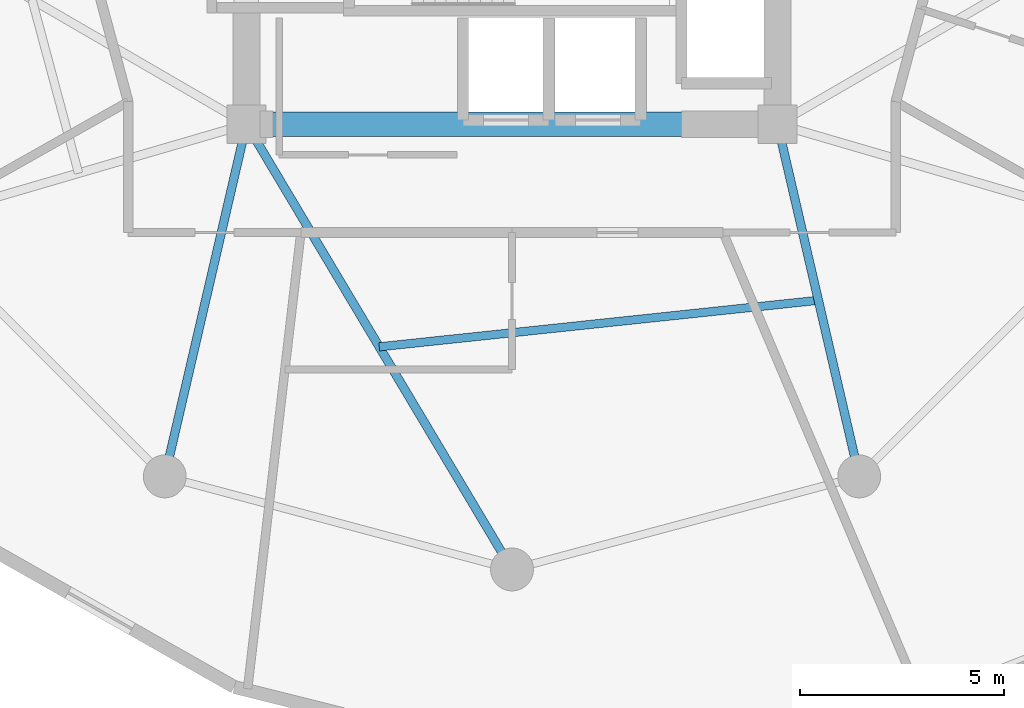
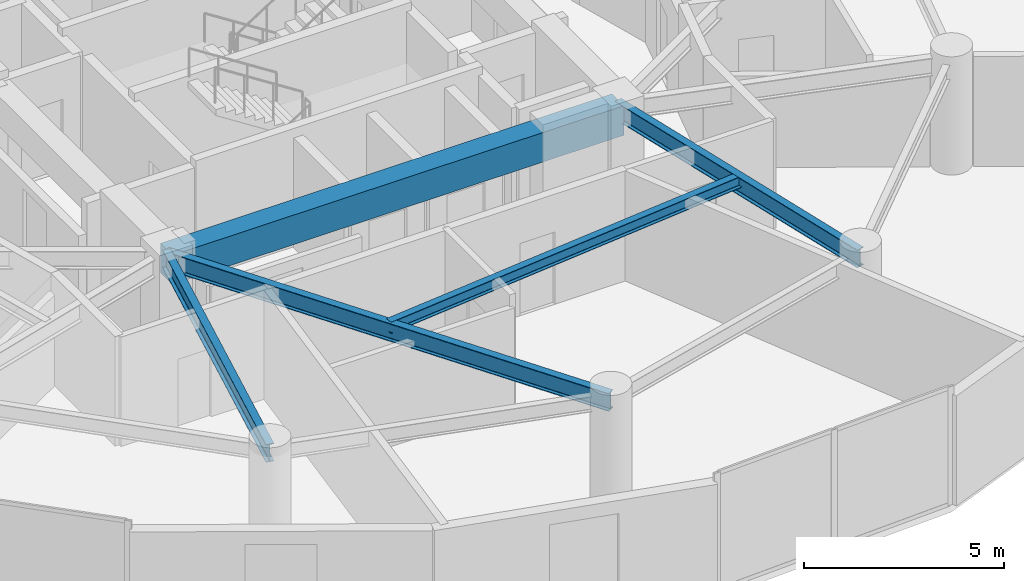
# One storey, part 5 of 25: 5 beams.
"""IFC4 building model written with IfcOpenShell, lengths in metres."""

import ifcopenshell
import ifcopenshell.guid

model = None  # the IFC model being written
_history = None  # IfcOwnerHistory: only IFC2X3 demands one
_inside = {}  # id of a spatial element -> (the spatial element, [elements in it])
_under = {}  # id of a project, library or spatial element -> (it, [spatial elements below it])
_declared = {}  # id of a project -> (the project, [libraries it declares])
_typed = {}  # id of a type object -> (the type object, [elements of that type])
_made_of = {}  # id of a material, layer set ... -> (it, [elements and type objects made of it])


def new_model(schema):
    """Start an empty IFC model of exactly this schema.

    Asked for "IFC4X3", IfcOpenShell would pick the latest addendum, in which some entities
    have other attributes; the version numbers below select the first issue.
    IFC2X3 requires an IfcOwnerHistory on every rooted entity: one is made here for all.
    """
    global model, _history
    if schema == "IFC4X3":
        model = ifcopenshell.file(schema_version=(4, 3, 0, 0))
    else:
        model = ifcopenshell.file(schema=schema)
    _inside.clear()
    _under.clear()
    _declared.clear()
    _typed.clear()
    _made_of.clear()
    _history = None
    if model.schema == "IFC2X3":
        org = make("IfcOrganization", Name="unknown")
        user = make(
            "IfcPersonAndOrganization",
            ThePerson=make("IfcPerson", FamilyName="unknown"),
            TheOrganization=org,
        )
        app = make(
            "IfcApplication",
            ApplicationDeveloper=org,
            Version="unknown",
            ApplicationFullName="unknown",
            ApplicationIdentifier="unknown",
        )
        _history = make(
            "IfcOwnerHistory",
            OwningUser=user,
            OwningApplication=app,
            ChangeAction="ADDED",
            CreationDate=0,
        )
    return model


def make(cls, **values):
    """One entity of the class cls with the attributes given. An attribute that is None is left unset."""
    return model.create_entity(
        cls, **{name: value for name, value in values.items() if value is not None}
    )


def rooted(cls, **values):
    """An entity with a GlobalId (a new one), such as an element, a storey or a relation."""
    return make(cls, GlobalId=ifcopenshell.guid.new(), OwnerHistory=_history, **values)


def si_unit(unit_type, name, prefix=None):
    """IfcSIUnit, for example si_unit("LENGTHUNIT", "METRE", prefix="MILLI")."""
    return make("IfcSIUnit", UnitType=unit_type, Prefix=prefix, Name=name)


def assignment(units):
    """IfcUnitAssignment: the units of a project."""
    return None if units is None else make("IfcUnitAssignment", Units=units)


def point(xyz):
    """IfcCartesianPoint."""
    return None if xyz is None else make("IfcCartesianPoint", Coordinates=xyz)


def direction(xyz):
    """IfcDirection."""
    return None if xyz is None else make("IfcDirection", DirectionRatios=xyz)


def frame(location, z_axis=None, x_axis=None):
    """IfcAxis2Placement3D, a coordinate frame: its origin and axes. An axis left out is left unset."""
    return make(
        "IfcAxis2Placement3D",
        Location=point(location),
        Axis=direction(z_axis),
        RefDirection=direction(x_axis),
    )


def frame_2d(location, x_axis=None):
    """IfcAxis2Placement2D, a coordinate frame in the plane: its origin and x axis."""
    return make(
        "IfcAxis2Placement2D", Location=point(location), RefDirection=direction(x_axis)
    )


def origin():
    """The frame at (0, 0, 0) with its axes left unset."""
    return frame((0.0, 0.0, 0.0))


def origin_2d():
    """The frame at (0, 0) in the plane with its x axis left unset."""
    return frame_2d((0.0, 0.0))


def place(relative_to, where):
    """IfcLocalPlacement: puts the frame where relative to a parent placement (None: the world)."""
    return make(
        "IfcLocalPlacement", PlacementRelTo=relative_to, RelativePlacement=where
    )


def context(
    kind, dimensions, precision=None, world=None, true_north=None, identifier=None
):
    """IfcGeometricRepresentationContext, for example the 3D "Model" context."""
    return make(
        "IfcGeometricRepresentationContext",
        ContextIdentifier=identifier,
        ContextType=kind,
        CoordinateSpaceDimension=dimensions,
        Precision=precision,
        WorldCoordinateSystem=world,
        TrueNorth=true_north,
    )


def subcontext(parent, identifier, kind, view, scale=None):
    """IfcGeometricRepresentationSubContext, for example "Body" below "Model"."""
    return make(
        "IfcGeometricRepresentationSubContext",
        ContextIdentifier=identifier,
        ContextType=kind,
        ParentContext=parent,
        TargetScale=scale,
        TargetView=view,
    )


def project(units=None, contexts=None):
    """IfcProject with its units and contexts."""
    return rooted(
        "IfcProject",
        Name="project",
        RepresentationContexts=contexts,
        UnitsInContext=assignment(units),
    )


def spatial(cls, under=None, at=None, **own):
    """A site, building, storey or space (cls), placed at a placement, below another one or the project."""
    s = rooted(cls, ObjectPlacement=at, **own)
    if under is not None:
        _under.setdefault(under.id(), (under, []))[1].append(s)
    return s


def profile(cls, at=None, kind="AREA", **sizes):
    """A parametric profile (cls). Its sizes go by their IFC names, for example OverallWidth=200.0."""
    return make(cls, ProfileType=kind, Position=at, **sizes)


def rectangle(**sizes):
    """IfcRectangleProfileDef."""
    return profile("IfcRectangleProfileDef", **sizes)


def i_section(**sizes):
    """IfcIShapeProfileDef."""
    return profile("IfcIShapeProfileDef", **sizes)


def extrude(swept, where, along, depth):
    """IfcExtrudedAreaSolid: the profile swept, set in the frame where, extruded along a direction by depth."""
    return make(
        "IfcExtrudedAreaSolid",
        SweptArea=swept,
        Position=where,
        ExtrudedDirection=direction(along),
        Depth=depth,
    )


def shape(context_of_items, identifier, shape_type, items):
    """IfcShapeRepresentation: the items that make up one representation, for example the "Body"."""
    return make(
        "IfcShapeRepresentation",
        ContextOfItems=context_of_items,
        RepresentationIdentifier=identifier,
        RepresentationType=shape_type,
        Items=items,
    )


def material(Name=None, Category=None):
    """IfcMaterial."""
    return make("IfcMaterial", Name=Name, Category=Category)


def material_profile(
    of_material, cross_section, Name=None, Category=None, Priority=None
):
    """IfcMaterialProfile: a cross section and its material."""
    return make(
        "IfcMaterialProfile",
        Name=Name,
        Material=of_material,
        Profile=cross_section,
        Priority=Priority,
        Category=Category,
    )


def profile_set(profiles, Name=None, composite=None):
    """IfcMaterialProfileSet."""
    return make(
        "IfcMaterialProfileSet",
        Name=Name,
        MaterialProfiles=profiles,
        CompositeProfile=composite,
    )


def made_of(thing, what):
    """Note that an element or type object is made of a material, layer set ...; save() writes the relation."""
    if what is not None:
        _made_of.setdefault(what.id(), (what, []))[1].append(thing)
    return thing


def type_object(cls, material=None, **own):
    """A type object (cls), such as IfcWallType, which elements share."""
    return made_of(rooted(cls, **own), material)


def element(
    cls,
    number,
    at=None,
    inside=None,
    cuts=None,
    type_object=None,
    material=None,
    context=None,
    identifier="Body",
    shape_type=None,
    held_by="IfcProductDefinitionShape",
    body=None,
    shapes=None,
    **own,
):
    """One element of the class cls, such as IfcWall. Its Tag is "e" and its number.

    at: its placement. inside: the storey or other place that contains it. cuts: it is an
    opening in that element (IfcRelVoidsElement). A single representation is given by context,
    identifier, shape_type and body (its items); several are given by shapes. held_by: the class
    of the entity that holds the representations. save() writes the other relations.
    """
    e = rooted(cls, Tag="e%d" % number, ObjectPlacement=at, **own)
    if body is not None:
        shapes = [shape(context, identifier, shape_type, body)]
    if shapes is not None:
        e.Representation = make(held_by, Representations=shapes)
    if inside is not None:
        _inside.setdefault(inside.id(), (inside, []))[1].append(e)
    if cuts is not None:
        rooted(
            "IfcRelVoidsElement", RelatingBuildingElement=cuts, RelatedOpeningElement=e
        )
    if type_object is not None:
        _typed.setdefault(type_object.id(), (type_object, []))[1].append(e)
    return made_of(e, material)


def aggregate(whole, parts):
    """IfcRelAggregates: a whole, such as a stair, and the parts it consists of."""
    return rooted("IfcRelAggregates", RelatingObject=whole, RelatedObjects=parts)


def save(model, path):
    """Write the relations noted so far, then the file.

    IfcRelAggregates (storeys below a building ...), IfcRelContainedInSpatialStructure (elements
    in a storey), IfcRelDefinesByType, IfcRelAssociatesMaterial and IfcRelDeclares: one each for
    every whole, place, type object, material and project.
    """
    for whole, parts in _under.values():
        aggregate(whole, parts)
    for where, things in _inside.values():
        rooted(
            "IfcRelContainedInSpatialStructure",
            RelatedElements=things,
            RelatingStructure=where,
        )
    for kind, things in _typed.values():
        rooted("IfcRelDefinesByType", RelatedObjects=things, RelatingType=kind)
    for what, things in _made_of.values():
        rooted("IfcRelAssociatesMaterial", RelatedObjects=things, RelatingMaterial=what)
    for by, libraries in _declared.values():
        rooted("IfcRelDeclares", RelatingContext=by, RelatedDefinitions=libraries)
    model.write(path)


model = new_model("IFC4")

# Units and contexts
model_context = context("Model", 3, precision=1e-05, world=origin(), true_north=direction((0.0, 1.0)))
body_context = subcontext(model_context, "Body", "Model", "MODEL_VIEW")
ifc_project = project(units=[si_unit("LENGTHUNIT", "METRE"), si_unit("AREAUNIT", "SQUARE_METRE"), si_unit("VOLUMEUNIT", "CUBIC_METRE"), si_unit("PLANEANGLEUNIT", "RADIAN"), si_unit("MASSUNIT", "GRAM", prefix="KILO")], contexts=[model_context])

# Site, building, storey
site_placement = place(None, origin())
site = spatial("IfcSite", under=ifc_project, at=site_placement, CompositionType="ELEMENT")
building_placement = place(site_placement, origin())
building = spatial("IfcBuilding", under=site, at=building_placement, Name="Solvirekh Grand Hotel", CompositionType="ELEMENT")
storey_placement = place(building_placement, frame((0.0, 0.0, 124.199951171875)))
storey = spatial("IfcBuildingStorey", under=building, at=storey_placement, Name="L31", CompositionType="ELEMENT", Elevation=124.199951171875)

# Beams
ifc_material_1 = material(Name="Concrete C50/60", Category="concrete")
ifc_material_profile_1 = material_profile(ifc_material_1, rectangle(XDim=0.60009765625, YDim=0.89990234375, at=origin_2d()), Name="RC BEAM 600X900")
ifc_profile_set_1 = profile_set([ifc_material_profile_1], Name="Concrete C50/60")
beam_type_1 = type_object("IfcBeamType", Name="Beam_Core_RC900", PredefinedType="BEAM", material=ifc_profile_set_1)
beam_1_placement = place(storey_placement, frame((-6.5, -6.10009765625, 2.900146484375), z_axis=(1.0, 0.0, 0.0), x_axis=(0.0, 1.0, 0.0)))
element("IfcBeam", 1, at=beam_1_placement, inside=storey, type_object=beam_type_1, Name="L31 core coupling ring beam 1", PredefinedType="BEAM", context=body_context, shape_type="SweptSolid", body=[
    extrude(rectangle(XDim=0.60009765625, YDim=0.89990234375, at=origin_2d()), origin(), (0.0, 0.0, 1.0), 13.0),
])
ifc_material_2 = material(Name="Steel S355", Category="steel")
ifc_material_profile_2 = material_profile(ifc_material_2, i_section(OverallWidth=0.2119140625, OverallDepth=0.5439453125, WebThickness=0.011962890625, FlangeThickness=0.01904296875, FilletRadius=0.013916015625, at=origin_2d()), Name="W530X123")
ifc_profile_set_2 = profile_set([ifc_material_profile_2], Name="Steel S355")
beam_type_2 = type_object("IfcBeamType", Name="Beam_Radial_W530H", PredefinedType="BEAM", material=ifc_profile_set_2)
beam_2_placement = place(storey_placement, frame((-6.5, -6.10009765625, 3.078125), z_axis=(-0.225969390542, -0.974134402707, 0.0), x_axis=(0.974134402707, -0.225969390542, 0.0)))
element("IfcBeam", 2, at=beam_2_placement, inside=storey, type_object=beam_type_2, Name="L31 radial floor beam R09", PredefinedType="BEAM", context=body_context, shape_type="SweptSolid", body=[
    extrude(i_section(OverallWidth=0.2119140625, OverallDepth=0.5439453125, WebThickness=0.011962890625, FlangeThickness=0.01904296875, FilletRadius=0.013916015625, at=origin_2d()), origin(), (0.0, 0.0, 1.0), 8.850830078125),
])
beam_3_placement = place(storey_placement, frame((-6.5, -6.10009765625, 3.078125), z_axis=(0.512179721377, -0.858878299301, 0.0), x_axis=(0.858878299301, 0.512179721377, 0.0)))
element("IfcBeam", 3, at=beam_3_placement, inside=storey, type_object=beam_type_2, Name="L31 radial floor beam R10", PredefinedType="BEAM", context=body_context, shape_type="SweptSolid", body=[
    extrude(i_section(OverallWidth=0.2119140625, OverallDepth=0.5439453125, WebThickness=0.011962890625, FlangeThickness=0.01904296875, FilletRadius=0.013916015625, at=origin_2d()), origin(), (0.0, 0.0, 1.0), 12.69091796875),
])
beam_4_placement = place(storey_placement, frame((6.5, -6.10009765625, 3.078125), z_axis=(0.225969390542, -0.974134402707, 0.0), x_axis=(0.974134402707, 0.225969390542, 0.0)))
element("IfcBeam", 4, at=beam_4_placement, inside=storey, type_object=beam_type_2, Name="L31 radial floor beam R11", PredefinedType="BEAM", context=body_context, shape_type="SweptSolid", body=[
    extrude(i_section(OverallWidth=0.2119140625, OverallDepth=0.5439453125, WebThickness=0.011962890625, FlangeThickness=0.01904296875, FilletRadius=0.013916015625, at=origin_2d()), origin(), (0.0, 0.0, 1.0), 8.850830078125),
])
ifc_material_profile_3 = material_profile(ifc_material_2, i_section(OverallWidth=0.2041015625, OverallDepth=0.35009765625, WebThickness=0.009033203125, FlangeThickness=0.014892578125, FilletRadius=0.010986328125, at=origin_2d()), Name="W360X72")
ifc_profile_set_3 = profile_set([ifc_material_profile_3], Name="Steel S355")
beam_type_3 = type_object("IfcBeamType", Name="Joist_Floor_W360", PredefinedType="JOIST", material=ifc_profile_set_3)
beam_5_placement = place(storey_placement, frame((-3.25, -11.550048828125, 3.175048828125), z_axis=(0.994432198761, 0.105378375714, 0.0), x_axis=(-0.105378375714, 0.994432198761, 0.0)))
element("IfcBeam", 5, at=beam_5_placement, inside=storey, type_object=beam_type_3, Name="L31 secondary composite floor joist 10", PredefinedType="JOIST", context=body_context, shape_type="SweptSolid", body=[
    extrude(i_section(OverallWidth=0.2041015625, OverallDepth=0.35009765625, WebThickness=0.009033203125, FlangeThickness=0.014892578125, FilletRadius=0.010986328125, at=origin_2d()), origin(), (0.0, 0.0, 1.0), 10.810302734375),
])

save(model, "model.ifc")
